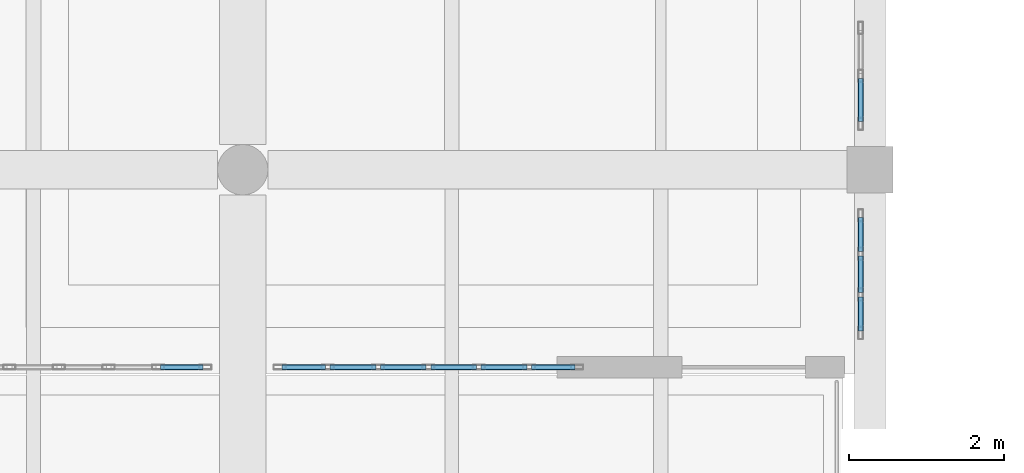
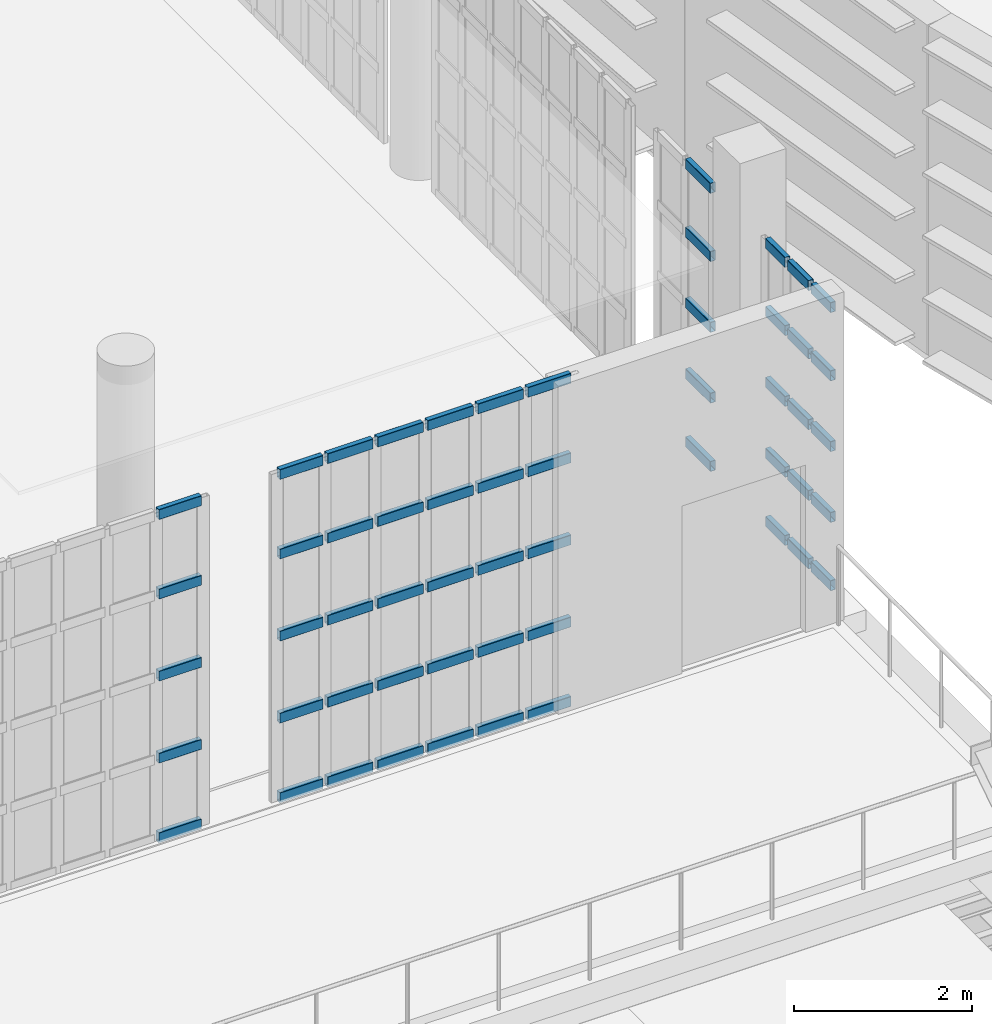
# One storey, part 57 of 104: 55 members, 4 elements without a shape of their own.
"""IFC4 building model written with IfcOpenShell, lengths in metres."""

import ifcopenshell
import ifcopenshell.guid

model = None  # the IFC model being written
_history = None  # IfcOwnerHistory: only IFC2X3 demands one
_inside = {}  # id of a spatial element -> (the spatial element, [elements in it])
_under = {}  # id of a project, library or spatial element -> (it, [spatial elements below it])
_declared = {}  # id of a project -> (the project, [libraries it declares])
_typed = {}  # id of a type object -> (the type object, [elements of that type])
_made_of = {}  # id of a material, layer set ... -> (it, [elements and type objects made of it])


def new_model(schema):
    """Start an empty IFC model of exactly this schema.

    Asked for "IFC4X3", IfcOpenShell would pick the latest addendum, in which some entities
    have other attributes; the version numbers below select the first issue.
    IFC2X3 requires an IfcOwnerHistory on every rooted entity: one is made here for all.
    """
    global model, _history
    if schema == "IFC4X3":
        model = ifcopenshell.file(schema_version=(4, 3, 0, 0))
    else:
        model = ifcopenshell.file(schema=schema)
    _inside.clear()
    _under.clear()
    _declared.clear()
    _typed.clear()
    _made_of.clear()
    _history = None
    if model.schema == "IFC2X3":
        org = make("IfcOrganization", Name="unknown")
        user = make(
            "IfcPersonAndOrganization",
            ThePerson=make("IfcPerson", FamilyName="unknown"),
            TheOrganization=org,
        )
        app = make(
            "IfcApplication",
            ApplicationDeveloper=org,
            Version="unknown",
            ApplicationFullName="unknown",
            ApplicationIdentifier="unknown",
        )
        _history = make(
            "IfcOwnerHistory",
            OwningUser=user,
            OwningApplication=app,
            ChangeAction="ADDED",
            CreationDate=0,
        )
    return model


def make(cls, **values):
    """One entity of the class cls with the attributes given. An attribute that is None is left unset."""
    return model.create_entity(
        cls, **{name: value for name, value in values.items() if value is not None}
    )


def rooted(cls, **values):
    """An entity with a GlobalId (a new one), such as an element, a storey or a relation."""
    return make(cls, GlobalId=ifcopenshell.guid.new(), OwnerHistory=_history, **values)


def si_unit(unit_type, name, prefix=None):
    """IfcSIUnit, for example si_unit("LENGTHUNIT", "METRE", prefix="MILLI")."""
    return make("IfcSIUnit", UnitType=unit_type, Prefix=prefix, Name=name)


def assignment(units):
    """IfcUnitAssignment: the units of a project."""
    return None if units is None else make("IfcUnitAssignment", Units=units)


def point(xyz):
    """IfcCartesianPoint."""
    return None if xyz is None else make("IfcCartesianPoint", Coordinates=xyz)


def direction(xyz):
    """IfcDirection."""
    return None if xyz is None else make("IfcDirection", DirectionRatios=xyz)


def frame(location, z_axis=None, x_axis=None):
    """IfcAxis2Placement3D, a coordinate frame: its origin and axes. An axis left out is left unset."""
    return make(
        "IfcAxis2Placement3D",
        Location=point(location),
        Axis=direction(z_axis),
        RefDirection=direction(x_axis),
    )


def frame_2d(location, x_axis=None):
    """IfcAxis2Placement2D, a coordinate frame in the plane: its origin and x axis."""
    return make(
        "IfcAxis2Placement2D", Location=point(location), RefDirection=direction(x_axis)
    )


def origin():
    """The frame at (0, 0, 0) with its axes left unset."""
    return frame((0.0, 0.0, 0.0))


def origin_2d():
    """The frame at (0, 0) in the plane with its x axis left unset."""
    return frame_2d((0.0, 0.0))


def place(relative_to, where):
    """IfcLocalPlacement: puts the frame where relative to a parent placement (None: the world)."""
    return make(
        "IfcLocalPlacement", PlacementRelTo=relative_to, RelativePlacement=where
    )


def context(
    kind, dimensions, precision=None, world=None, true_north=None, identifier=None
):
    """IfcGeometricRepresentationContext, for example the 3D "Model" context."""
    return make(
        "IfcGeometricRepresentationContext",
        ContextIdentifier=identifier,
        ContextType=kind,
        CoordinateSpaceDimension=dimensions,
        Precision=precision,
        WorldCoordinateSystem=world,
        TrueNorth=true_north,
    )


def subcontext(parent, identifier, kind, view, scale=None):
    """IfcGeometricRepresentationSubContext, for example "Body" below "Model"."""
    return make(
        "IfcGeometricRepresentationSubContext",
        ContextIdentifier=identifier,
        ContextType=kind,
        ParentContext=parent,
        TargetScale=scale,
        TargetView=view,
    )


def project(units=None, contexts=None):
    """IfcProject with its units and contexts."""
    return rooted(
        "IfcProject",
        Name="project",
        RepresentationContexts=contexts,
        UnitsInContext=assignment(units),
    )


def spatial(cls, under=None, at=None, **own):
    """A site, building, storey or space (cls), placed at a placement, below another one or the project."""
    s = rooted(cls, ObjectPlacement=at, **own)
    if under is not None:
        _under.setdefault(under.id(), (under, []))[1].append(s)
    return s


def profile(cls, at=None, kind="AREA", **sizes):
    """A parametric profile (cls). Its sizes go by their IFC names, for example OverallWidth=200.0."""
    return make(cls, ProfileType=kind, Position=at, **sizes)


def hollow_rectangle(**sizes):
    """IfcRectangleHollowProfileDef."""
    return profile("IfcRectangleHollowProfileDef", **sizes)


def extrude(swept, where, along, depth):
    """IfcExtrudedAreaSolid: the profile swept, set in the frame where, extruded along a direction by depth."""
    return make(
        "IfcExtrudedAreaSolid",
        SweptArea=swept,
        Position=where,
        ExtrudedDirection=direction(along),
        Depth=depth,
    )


def shape(context_of_items, identifier, shape_type, items):
    """IfcShapeRepresentation: the items that make up one representation, for example the "Body"."""
    return make(
        "IfcShapeRepresentation",
        ContextOfItems=context_of_items,
        RepresentationIdentifier=identifier,
        RepresentationType=shape_type,
        Items=items,
    )


def material(Name=None, Category=None):
    """IfcMaterial."""
    return make("IfcMaterial", Name=Name, Category=Category)


def material_profile(
    of_material, cross_section, Name=None, Category=None, Priority=None
):
    """IfcMaterialProfile: a cross section and its material."""
    return make(
        "IfcMaterialProfile",
        Name=Name,
        Material=of_material,
        Profile=cross_section,
        Priority=Priority,
        Category=Category,
    )


def profile_set(profiles, Name=None, composite=None):
    """IfcMaterialProfileSet."""
    return make(
        "IfcMaterialProfileSet",
        Name=Name,
        MaterialProfiles=profiles,
        CompositeProfile=composite,
    )


def made_of(thing, what):
    """Note that an element or type object is made of a material, layer set ...; save() writes the relation."""
    if what is not None:
        _made_of.setdefault(what.id(), (what, []))[1].append(thing)
    return thing


def type_object(cls, material=None, **own):
    """A type object (cls), such as IfcWallType, which elements share."""
    return made_of(rooted(cls, **own), material)


def element(
    cls,
    number,
    at=None,
    inside=None,
    cuts=None,
    type_object=None,
    material=None,
    context=None,
    identifier="Body",
    shape_type=None,
    held_by="IfcProductDefinitionShape",
    body=None,
    shapes=None,
    **own,
):
    """One element of the class cls, such as IfcWall. Its Tag is "e" and its number.

    at: its placement. inside: the storey or other place that contains it. cuts: it is an
    opening in that element (IfcRelVoidsElement). A single representation is given by context,
    identifier, shape_type and body (its items); several are given by shapes. held_by: the class
    of the entity that holds the representations. save() writes the other relations.
    """
    e = rooted(cls, Tag="e%d" % number, ObjectPlacement=at, **own)
    if body is not None:
        shapes = [shape(context, identifier, shape_type, body)]
    if shapes is not None:
        e.Representation = make(held_by, Representations=shapes)
    if inside is not None:
        _inside.setdefault(inside.id(), (inside, []))[1].append(e)
    if cuts is not None:
        rooted(
            "IfcRelVoidsElement", RelatingBuildingElement=cuts, RelatedOpeningElement=e
        )
    if type_object is not None:
        _typed.setdefault(type_object.id(), (type_object, []))[1].append(e)
    return made_of(e, material)


def aggregate(whole, parts):
    """IfcRelAggregates: a whole, such as a stair, and the parts it consists of."""
    return rooted("IfcRelAggregates", RelatingObject=whole, RelatedObjects=parts)


def save(model, path):
    """Write the relations noted so far, then the file.

    IfcRelAggregates (storeys below a building ...), IfcRelContainedInSpatialStructure (elements
    in a storey), IfcRelDefinesByType, IfcRelAssociatesMaterial and IfcRelDeclares: one each for
    every whole, place, type object, material and project.
    """
    for whole, parts in _under.values():
        aggregate(whole, parts)
    for where, things in _inside.values():
        rooted(
            "IfcRelContainedInSpatialStructure",
            RelatedElements=things,
            RelatingStructure=where,
        )
    for kind, things in _typed.values():
        rooted("IfcRelDefinesByType", RelatedObjects=things, RelatingType=kind)
    for what, things in _made_of.values():
        rooted("IfcRelAssociatesMaterial", RelatedObjects=things, RelatingMaterial=what)
    for by, libraries in _declared.values():
        rooted("IfcRelDeclares", RelatingContext=by, RelatedDefinitions=libraries)
    model.write(path)


model = new_model("IFC4")

# Units and contexts
model_context = context("Model", 3, precision=1e-05, world=origin(), true_north=direction((0.0, 1.0)))
body_context = subcontext(model_context, "Body", "Model", "MODEL_VIEW")
ifc_project = project(units=[si_unit("LENGTHUNIT", "METRE"), si_unit("AREAUNIT", "SQUARE_METRE"), si_unit("VOLUMEUNIT", "CUBIC_METRE"), si_unit("PLANEANGLEUNIT", "RADIAN"), si_unit("MASSUNIT", "GRAM", prefix="KILO")], contexts=[model_context])

# Site, building, storey
site_placement = place(None, origin())
site = spatial("IfcSite", under=ifc_project, at=site_placement, CompositionType="ELEMENT")
building_placement = place(site_placement, origin())
building = spatial("IfcBuilding", under=site, at=building_placement, Name="Kaelora Sail Theatre", CompositionType="ELEMENT")
storey_placement = place(building_placement, frame((0.0, 0.0, 5.39990234375)))
storey = spatial("IfcBuildingStorey", under=building, at=storey_placement, Name="L01", CompositionType="ELEMENT", Elevation=5.39990234375)

# Curtain wall, members
ifc_material_1 = material(Name="Anodised aluminium and solar-control low-E IGU", Category="aluminium")
curtain_wall_type = type_object("IfcCurtainWallType", Name="ARC-CW-CW-FOY2", PredefinedType="NOTDEFINED", material=ifc_material_1)
curtain_wall_1_placement = place(storey_placement, origin())
curtain_wall_1 = element("IfcCurtainWall", 1, at=curtain_wall_1_placement, inside=storey, type_object=curtain_wall_type, Name="West Interstitial Sail Foyer Curtain Wall L01-02", PredefinedType="NOTDEFINED")
ifc_material_2 = material(Name="Anodised aluminium 6063-T6", Category="aluminium")
ifc_material_profile = material_profile(ifc_material_2, hollow_rectangle(XDim=0.070068359375, YDim=0.139892578125, WallThickness=0.00390625, InnerFilletRadius=0.00390625, OuterFilletRadius=0.008056640625, at=origin_2d()), Name="ALU-TRAN 70x140x4")
ifc_profile_set = profile_set([ifc_material_profile], Name="Anodised aluminium 6063-T6")
member_type = type_object("IfcMemberType", Name="ARC-MEM-TR-140", PredefinedType="USERDEFINED", material=ifc_profile_set)
member_1_placement = place(storey_placement, frame((65.239990234375, 43.590087890625, 0.03515625), z_axis=(1.0, 0.0, 0.0), x_axis=(0.0, 1.0, 0.0)))
member_1 = element("IfcMember", 2, at=member_1_placement, type_object=member_type, Name="CW-FOY2 transom 5.1", ObjectType="TRANSOM", PredefinedType="USERDEFINED", context=body_context, shape_type="SweptSolid", body=[
    extrude(hollow_rectangle(XDim=0.070068359375, YDim=0.139892578125, WallThickness=0.00390625, InnerFilletRadius=0.00390625, OuterFilletRadius=0.008056640625, at=origin_2d()), origin(), (0.0, 0.0, 1.0), 0.550048828125),
])
member_2_placement = place(storey_placement, frame((65.239990234375, 43.590087890625, 1.12646484375), z_axis=(1.0, 0.0, 0.0), x_axis=(0.0, 1.0, 0.0)))
member_2 = element("IfcMember", 3, at=member_2_placement, type_object=member_type, Name="CW-FOY2 transom 5.2", ObjectType="TRANSOM", PredefinedType="USERDEFINED", context=body_context, shape_type="SweptSolid", body=[
    extrude(hollow_rectangle(XDim=0.070068359375, YDim=0.139892578125, WallThickness=0.00390625, InnerFilletRadius=0.00390625, OuterFilletRadius=0.008056640625, at=origin_2d()), origin(), (0.0, 0.0, 1.0), 0.550048828125),
])
member_3_placement = place(storey_placement, frame((65.239990234375, 43.590087890625, 2.252685546875), z_axis=(1.0, 0.0, 0.0), x_axis=(0.0, 1.0, 0.0)))
member_3 = element("IfcMember", 4, at=member_3_placement, type_object=member_type, Name="CW-FOY2 transom 5.3", ObjectType="TRANSOM", PredefinedType="USERDEFINED", context=body_context, shape_type="SweptSolid", body=[
    extrude(hollow_rectangle(XDim=0.070068359375, YDim=0.139892578125, WallThickness=0.00390625, InnerFilletRadius=0.00390625, OuterFilletRadius=0.008056640625, at=origin_2d()), origin(), (0.0, 0.0, 1.0), 0.550048828125),
])
member_4_placement = place(storey_placement, frame((65.239990234375, 43.590087890625, 3.37890625), z_axis=(1.0, 0.0, 0.0), x_axis=(0.0, 1.0, 0.0)))
member_4 = element("IfcMember", 5, at=member_4_placement, type_object=member_type, Name="CW-FOY2 transom 5.4", ObjectType="TRANSOM", PredefinedType="USERDEFINED", context=body_context, shape_type="SweptSolid", body=[
    extrude(hollow_rectangle(XDim=0.070068359375, YDim=0.139892578125, WallThickness=0.00390625, InnerFilletRadius=0.00390625, OuterFilletRadius=0.008056640625, at=origin_2d()), origin(), (0.0, 0.0, 1.0), 0.550048828125),
])
member_5_placement = place(storey_placement, frame((65.239990234375, 43.590087890625, 4.47021484375), z_axis=(1.0, 0.0, 0.0), x_axis=(0.0, 1.0, 0.0)))
member_5 = element("IfcMember", 6, at=member_5_placement, type_object=member_type, Name="CW-FOY2 transom 5.5", ObjectType="TRANSOM", PredefinedType="USERDEFINED", context=body_context, shape_type="SweptSolid", body=[
    extrude(hollow_rectangle(XDim=0.070068359375, YDim=0.139892578125, WallThickness=0.00390625, InnerFilletRadius=0.00390625, OuterFilletRadius=0.008056640625, at=origin_2d()), origin(), (0.0, 0.0, 1.0), 0.550048828125),
])
aggregate(curtain_wall_1, [member_1, member_2, member_3, member_4, member_5])

curtain_wall_2_placement = place(storey_placement, origin())
curtain_wall_2 = element("IfcCurtainWall", 7, at=curtain_wall_2_placement, inside=storey, type_object=curtain_wall_type, Name="West Interstitial Sail Foyer Curtain Wall L01-03", PredefinedType="NOTDEFINED")
member_6_placement = place(storey_placement, frame((66.81005859375, 43.590087890625, 0.03515625), z_axis=(1.0, 0.0, 0.0), x_axis=(0.0, 1.0, 0.0)))
member_6 = element("IfcMember", 8, at=member_6_placement, type_object=member_type, Name="CW-FOY2 transom 1.1", ObjectType="TRANSOM", PredefinedType="USERDEFINED", context=body_context, shape_type="SweptSolid", body=[
    extrude(hollow_rectangle(XDim=0.070068359375, YDim=0.139892578125, WallThickness=0.00390625, InnerFilletRadius=0.00390625, OuterFilletRadius=0.008056640625, at=origin_2d()), origin(), (0.0, 0.0, 1.0), 0.56005859375),
])
member_7_placement = place(storey_placement, frame((66.81005859375, 43.590087890625, 1.12646484375), z_axis=(1.0, 0.0, 0.0), x_axis=(0.0, 1.0, 0.0)))
member_7 = element("IfcMember", 9, at=member_7_placement, type_object=member_type, Name="CW-FOY2 transom 1.2", ObjectType="TRANSOM", PredefinedType="USERDEFINED", context=body_context, shape_type="SweptSolid", body=[
    extrude(hollow_rectangle(XDim=0.070068359375, YDim=0.139892578125, WallThickness=0.00390625, InnerFilletRadius=0.00390625, OuterFilletRadius=0.008056640625, at=origin_2d()), origin(), (0.0, 0.0, 1.0), 0.56005859375),
])
member_8_placement = place(storey_placement, frame((66.81005859375, 43.590087890625, 2.252685546875), z_axis=(1.0, 0.0, 0.0), x_axis=(0.0, 1.0, 0.0)))
member_8 = element("IfcMember", 10, at=member_8_placement, type_object=member_type, Name="CW-FOY2 transom 1.3", ObjectType="TRANSOM", PredefinedType="USERDEFINED", context=body_context, shape_type="SweptSolid", body=[
    extrude(hollow_rectangle(XDim=0.070068359375, YDim=0.139892578125, WallThickness=0.00390625, InnerFilletRadius=0.00390625, OuterFilletRadius=0.008056640625, at=origin_2d()), origin(), (0.0, 0.0, 1.0), 0.56005859375),
])
member_9_placement = place(storey_placement, frame((66.81005859375, 43.590087890625, 3.37890625), z_axis=(1.0, 0.0, 0.0), x_axis=(0.0, 1.0, 0.0)))
member_9 = element("IfcMember", 11, at=member_9_placement, type_object=member_type, Name="CW-FOY2 transom 1.4", ObjectType="TRANSOM", PredefinedType="USERDEFINED", context=body_context, shape_type="SweptSolid", body=[
    extrude(hollow_rectangle(XDim=0.070068359375, YDim=0.139892578125, WallThickness=0.00390625, InnerFilletRadius=0.00390625, OuterFilletRadius=0.008056640625, at=origin_2d()), origin(), (0.0, 0.0, 1.0), 0.56005859375),
])
member_10_placement = place(storey_placement, frame((66.81005859375, 43.590087890625, 4.47021484375), z_axis=(1.0, 0.0, 0.0), x_axis=(0.0, 1.0, 0.0)))
member_10 = element("IfcMember", 12, at=member_10_placement, type_object=member_type, Name="CW-FOY2 transom 1.5", ObjectType="TRANSOM", PredefinedType="USERDEFINED", context=body_context, shape_type="SweptSolid", body=[
    extrude(hollow_rectangle(XDim=0.070068359375, YDim=0.139892578125, WallThickness=0.00390625, InnerFilletRadius=0.00390625, OuterFilletRadius=0.008056640625, at=origin_2d()), origin(), (0.0, 0.0, 1.0), 0.56005859375),
])
member_11_placement = place(storey_placement, frame((67.429931640625, 43.590087890625, 0.03515625), z_axis=(1.0, 0.0, 0.0), x_axis=(0.0, 1.0, 0.0)))
member_11 = element("IfcMember", 13, at=member_11_placement, type_object=member_type, Name="CW-FOY2 transom 2.1", ObjectType="TRANSOM", PredefinedType="USERDEFINED", context=body_context, shape_type="SweptSolid", body=[
    extrude(hollow_rectangle(XDim=0.070068359375, YDim=0.139892578125, WallThickness=0.00390625, InnerFilletRadius=0.00390625, OuterFilletRadius=0.008056640625, at=origin_2d()), origin(), (0.0, 0.0, 1.0), 0.590087890625),
])
member_12_placement = place(storey_placement, frame((67.429931640625, 43.590087890625, 1.12646484375), z_axis=(1.0, 0.0, 0.0), x_axis=(0.0, 1.0, 0.0)))
member_12 = element("IfcMember", 14, at=member_12_placement, type_object=member_type, Name="CW-FOY2 transom 2.2", ObjectType="TRANSOM", PredefinedType="USERDEFINED", context=body_context, shape_type="SweptSolid", body=[
    extrude(hollow_rectangle(XDim=0.070068359375, YDim=0.139892578125, WallThickness=0.00390625, InnerFilletRadius=0.00390625, OuterFilletRadius=0.008056640625, at=origin_2d()), origin(), (0.0, 0.0, 1.0), 0.590087890625),
])
member_13_placement = place(storey_placement, frame((67.429931640625, 43.590087890625, 2.252685546875), z_axis=(1.0, 0.0, 0.0), x_axis=(0.0, 1.0, 0.0)))
member_13 = element("IfcMember", 15, at=member_13_placement, type_object=member_type, Name="CW-FOY2 transom 2.3", ObjectType="TRANSOM", PredefinedType="USERDEFINED", context=body_context, shape_type="SweptSolid", body=[
    extrude(hollow_rectangle(XDim=0.070068359375, YDim=0.139892578125, WallThickness=0.00390625, InnerFilletRadius=0.00390625, OuterFilletRadius=0.008056640625, at=origin_2d()), origin(), (0.0, 0.0, 1.0), 0.590087890625),
])
member_14_placement = place(storey_placement, frame((67.429931640625, 43.590087890625, 3.37890625), z_axis=(1.0, 0.0, 0.0), x_axis=(0.0, 1.0, 0.0)))
member_14 = element("IfcMember", 16, at=member_14_placement, type_object=member_type, Name="CW-FOY2 transom 2.4", ObjectType="TRANSOM", PredefinedType="USERDEFINED", context=body_context, shape_type="SweptSolid", body=[
    extrude(hollow_rectangle(XDim=0.070068359375, YDim=0.139892578125, WallThickness=0.00390625, InnerFilletRadius=0.00390625, OuterFilletRadius=0.008056640625, at=origin_2d()), origin(), (0.0, 0.0, 1.0), 0.590087890625),
])
member_15_placement = place(storey_placement, frame((67.429931640625, 43.590087890625, 4.47021484375), z_axis=(1.0, 0.0, 0.0), x_axis=(0.0, 1.0, 0.0)))
member_15 = element("IfcMember", 17, at=member_15_placement, type_object=member_type, Name="CW-FOY2 transom 2.5", ObjectType="TRANSOM", PredefinedType="USERDEFINED", context=body_context, shape_type="SweptSolid", body=[
    extrude(hollow_rectangle(XDim=0.070068359375, YDim=0.139892578125, WallThickness=0.00390625, InnerFilletRadius=0.00390625, OuterFilletRadius=0.008056640625, at=origin_2d()), origin(), (0.0, 0.0, 1.0), 0.590087890625),
])
member_16_placement = place(storey_placement, frame((68.080078125, 43.590087890625, 0.03515625), z_axis=(1.0, 0.0, 0.0), x_axis=(0.0, 1.0, 0.0)))
member_16 = element("IfcMember", 18, at=member_16_placement, type_object=member_type, Name="CW-FOY2 transom 3.1", ObjectType="TRANSOM", PredefinedType="USERDEFINED", context=body_context, shape_type="SweptSolid", body=[
    extrude(hollow_rectangle(XDim=0.070068359375, YDim=0.139892578125, WallThickness=0.00390625, InnerFilletRadius=0.00390625, OuterFilletRadius=0.008056640625, at=origin_2d()), origin(), (0.0, 0.0, 1.0), 0.58984375),
])
member_17_placement = place(storey_placement, frame((68.080078125, 43.590087890625, 1.12646484375), z_axis=(1.0, 0.0, 0.0), x_axis=(0.0, 1.0, 0.0)))
member_17 = element("IfcMember", 19, at=member_17_placement, type_object=member_type, Name="CW-FOY2 transom 3.2", ObjectType="TRANSOM", PredefinedType="USERDEFINED", context=body_context, shape_type="SweptSolid", body=[
    extrude(hollow_rectangle(XDim=0.070068359375, YDim=0.139892578125, WallThickness=0.00390625, InnerFilletRadius=0.00390625, OuterFilletRadius=0.008056640625, at=origin_2d()), origin(), (0.0, 0.0, 1.0), 0.58984375),
])
member_18_placement = place(storey_placement, frame((68.080078125, 43.590087890625, 2.252685546875), z_axis=(1.0, 0.0, 0.0), x_axis=(0.0, 1.0, 0.0)))
member_18 = element("IfcMember", 20, at=member_18_placement, type_object=member_type, Name="CW-FOY2 transom 3.3", ObjectType="TRANSOM", PredefinedType="USERDEFINED", context=body_context, shape_type="SweptSolid", body=[
    extrude(hollow_rectangle(XDim=0.070068359375, YDim=0.139892578125, WallThickness=0.00390625, InnerFilletRadius=0.00390625, OuterFilletRadius=0.008056640625, at=origin_2d()), origin(), (0.0, 0.0, 1.0), 0.58984375),
])
member_19_placement = place(storey_placement, frame((68.080078125, 43.590087890625, 3.37890625), z_axis=(1.0, 0.0, 0.0), x_axis=(0.0, 1.0, 0.0)))
member_19 = element("IfcMember", 21, at=member_19_placement, type_object=member_type, Name="CW-FOY2 transom 3.4", ObjectType="TRANSOM", PredefinedType="USERDEFINED", context=body_context, shape_type="SweptSolid", body=[
    extrude(hollow_rectangle(XDim=0.070068359375, YDim=0.139892578125, WallThickness=0.00390625, InnerFilletRadius=0.00390625, OuterFilletRadius=0.008056640625, at=origin_2d()), origin(), (0.0, 0.0, 1.0), 0.58984375),
])
member_20_placement = place(storey_placement, frame((68.080078125, 43.590087890625, 4.47021484375), z_axis=(1.0, 0.0, 0.0), x_axis=(0.0, 1.0, 0.0)))
member_20 = element("IfcMember", 22, at=member_20_placement, type_object=member_type, Name="CW-FOY2 transom 3.5", ObjectType="TRANSOM", PredefinedType="USERDEFINED", context=body_context, shape_type="SweptSolid", body=[
    extrude(hollow_rectangle(XDim=0.070068359375, YDim=0.139892578125, WallThickness=0.00390625, InnerFilletRadius=0.00390625, OuterFilletRadius=0.008056640625, at=origin_2d()), origin(), (0.0, 0.0, 1.0), 0.58984375),
])
member_21_placement = place(storey_placement, frame((68.72998046875, 43.590087890625, 0.03515625), z_axis=(1.0, 0.0, 0.0), x_axis=(0.0, 1.0, 0.0)))
member_21 = element("IfcMember", 23, at=member_21_placement, type_object=member_type, Name="CW-FOY2 transom 4.1", ObjectType="TRANSOM", PredefinedType="USERDEFINED", context=body_context, shape_type="SweptSolid", body=[
    extrude(hollow_rectangle(XDim=0.070068359375, YDim=0.139892578125, WallThickness=0.00390625, InnerFilletRadius=0.00390625, OuterFilletRadius=0.008056640625, at=origin_2d()), origin(), (0.0, 0.0, 1.0), 0.590087890625),
])
member_22_placement = place(storey_placement, frame((68.72998046875, 43.590087890625, 1.12646484375), z_axis=(1.0, 0.0, 0.0), x_axis=(0.0, 1.0, 0.0)))
member_22 = element("IfcMember", 24, at=member_22_placement, type_object=member_type, Name="CW-FOY2 transom 4.2", ObjectType="TRANSOM", PredefinedType="USERDEFINED", context=body_context, shape_type="SweptSolid", body=[
    extrude(hollow_rectangle(XDim=0.070068359375, YDim=0.139892578125, WallThickness=0.00390625, InnerFilletRadius=0.00390625, OuterFilletRadius=0.008056640625, at=origin_2d()), origin(), (0.0, 0.0, 1.0), 0.590087890625),
])
member_23_placement = place(storey_placement, frame((68.72998046875, 43.590087890625, 2.252685546875), z_axis=(1.0, 0.0, 0.0), x_axis=(0.0, 1.0, 0.0)))
member_23 = element("IfcMember", 25, at=member_23_placement, type_object=member_type, Name="CW-FOY2 transom 4.3", ObjectType="TRANSOM", PredefinedType="USERDEFINED", context=body_context, shape_type="SweptSolid", body=[
    extrude(hollow_rectangle(XDim=0.070068359375, YDim=0.139892578125, WallThickness=0.00390625, InnerFilletRadius=0.00390625, OuterFilletRadius=0.008056640625, at=origin_2d()), origin(), (0.0, 0.0, 1.0), 0.590087890625),
])
member_24_placement = place(storey_placement, frame((68.72998046875, 43.590087890625, 3.37890625), z_axis=(1.0, 0.0, 0.0), x_axis=(0.0, 1.0, 0.0)))
member_24 = element("IfcMember", 26, at=member_24_placement, type_object=member_type, Name="CW-FOY2 transom 4.4", ObjectType="TRANSOM", PredefinedType="USERDEFINED", context=body_context, shape_type="SweptSolid", body=[
    extrude(hollow_rectangle(XDim=0.070068359375, YDim=0.139892578125, WallThickness=0.00390625, InnerFilletRadius=0.00390625, OuterFilletRadius=0.008056640625, at=origin_2d()), origin(), (0.0, 0.0, 1.0), 0.590087890625),
])
member_25_placement = place(storey_placement, frame((68.72998046875, 43.590087890625, 4.47021484375), z_axis=(1.0, 0.0, 0.0), x_axis=(0.0, 1.0, 0.0)))
member_25 = element("IfcMember", 27, at=member_25_placement, type_object=member_type, Name="CW-FOY2 transom 4.5", ObjectType="TRANSOM", PredefinedType="USERDEFINED", context=body_context, shape_type="SweptSolid", body=[
    extrude(hollow_rectangle(XDim=0.070068359375, YDim=0.139892578125, WallThickness=0.00390625, InnerFilletRadius=0.00390625, OuterFilletRadius=0.008056640625, at=origin_2d()), origin(), (0.0, 0.0, 1.0), 0.590087890625),
])
member_26_placement = place(storey_placement, frame((69.3798828125, 43.590087890625, 0.03515625), z_axis=(1.0, 0.0, 0.0), x_axis=(0.0, 1.0, 0.0)))
member_26 = element("IfcMember", 28, at=member_26_placement, type_object=member_type, Name="CW-FOY2 transom 5.1", ObjectType="TRANSOM", PredefinedType="USERDEFINED", context=body_context, shape_type="SweptSolid", body=[
    extrude(hollow_rectangle(XDim=0.070068359375, YDim=0.139892578125, WallThickness=0.00390625, InnerFilletRadius=0.00390625, OuterFilletRadius=0.008056640625, at=origin_2d()), origin(), (0.0, 0.0, 1.0), 0.590087890625),
])
member_27_placement = place(storey_placement, frame((69.3798828125, 43.590087890625, 1.12646484375), z_axis=(1.0, 0.0, 0.0), x_axis=(0.0, 1.0, 0.0)))
member_27 = element("IfcMember", 29, at=member_27_placement, type_object=member_type, Name="CW-FOY2 transom 5.2", ObjectType="TRANSOM", PredefinedType="USERDEFINED", context=body_context, shape_type="SweptSolid", body=[
    extrude(hollow_rectangle(XDim=0.070068359375, YDim=0.139892578125, WallThickness=0.00390625, InnerFilletRadius=0.00390625, OuterFilletRadius=0.008056640625, at=origin_2d()), origin(), (0.0, 0.0, 1.0), 0.590087890625),
])
member_28_placement = place(storey_placement, frame((69.3798828125, 43.590087890625, 2.252685546875), z_axis=(1.0, 0.0, 0.0), x_axis=(0.0, 1.0, 0.0)))
member_28 = element("IfcMember", 30, at=member_28_placement, type_object=member_type, Name="CW-FOY2 transom 5.3", ObjectType="TRANSOM", PredefinedType="USERDEFINED", context=body_context, shape_type="SweptSolid", body=[
    extrude(hollow_rectangle(XDim=0.070068359375, YDim=0.139892578125, WallThickness=0.00390625, InnerFilletRadius=0.00390625, OuterFilletRadius=0.008056640625, at=origin_2d()), origin(), (0.0, 0.0, 1.0), 0.590087890625),
])
member_29_placement = place(storey_placement, frame((69.3798828125, 43.590087890625, 3.37890625), z_axis=(1.0, 0.0, 0.0), x_axis=(0.0, 1.0, 0.0)))
member_29 = element("IfcMember", 31, at=member_29_placement, type_object=member_type, Name="CW-FOY2 transom 5.4", ObjectType="TRANSOM", PredefinedType="USERDEFINED", context=body_context, shape_type="SweptSolid", body=[
    extrude(hollow_rectangle(XDim=0.070068359375, YDim=0.139892578125, WallThickness=0.00390625, InnerFilletRadius=0.00390625, OuterFilletRadius=0.008056640625, at=origin_2d()), origin(), (0.0, 0.0, 1.0), 0.590087890625),
])
member_30_placement = place(storey_placement, frame((69.3798828125, 43.590087890625, 4.47021484375), z_axis=(1.0, 0.0, 0.0), x_axis=(0.0, 1.0, 0.0)))
member_30 = element("IfcMember", 32, at=member_30_placement, type_object=member_type, Name="CW-FOY2 transom 5.5", ObjectType="TRANSOM", PredefinedType="USERDEFINED", context=body_context, shape_type="SweptSolid", body=[
    extrude(hollow_rectangle(XDim=0.070068359375, YDim=0.139892578125, WallThickness=0.00390625, InnerFilletRadius=0.00390625, OuterFilletRadius=0.008056640625, at=origin_2d()), origin(), (0.0, 0.0, 1.0), 0.590087890625),
])
member_31_placement = place(storey_placement, frame((70.030029296875, 43.590087890625, 0.03515625), z_axis=(1.0, 0.0, 0.0), x_axis=(0.0, 1.0, 0.0)))
member_31 = element("IfcMember", 33, at=member_31_placement, type_object=member_type, Name="CW-FOY2 transom 6.1", ObjectType="TRANSOM", PredefinedType="USERDEFINED", context=body_context, shape_type="SweptSolid", body=[
    extrude(hollow_rectangle(XDim=0.070068359375, YDim=0.139892578125, WallThickness=0.00390625, InnerFilletRadius=0.00390625, OuterFilletRadius=0.008056640625, at=origin_2d()), origin(), (0.0, 0.0, 1.0), 0.56005859375),
])
member_32_placement = place(storey_placement, frame((70.030029296875, 43.590087890625, 1.12646484375), z_axis=(1.0, 0.0, 0.0), x_axis=(0.0, 1.0, 0.0)))
member_32 = element("IfcMember", 34, at=member_32_placement, type_object=member_type, Name="CW-FOY2 transom 6.2", ObjectType="TRANSOM", PredefinedType="USERDEFINED", context=body_context, shape_type="SweptSolid", body=[
    extrude(hollow_rectangle(XDim=0.070068359375, YDim=0.139892578125, WallThickness=0.00390625, InnerFilletRadius=0.00390625, OuterFilletRadius=0.008056640625, at=origin_2d()), origin(), (0.0, 0.0, 1.0), 0.56005859375),
])
member_33_placement = place(storey_placement, frame((70.030029296875, 43.590087890625, 2.252685546875), z_axis=(1.0, 0.0, 0.0), x_axis=(0.0, 1.0, 0.0)))
member_33 = element("IfcMember", 35, at=member_33_placement, type_object=member_type, Name="CW-FOY2 transom 6.3", ObjectType="TRANSOM", PredefinedType="USERDEFINED", context=body_context, shape_type="SweptSolid", body=[
    extrude(hollow_rectangle(XDim=0.070068359375, YDim=0.139892578125, WallThickness=0.00390625, InnerFilletRadius=0.00390625, OuterFilletRadius=0.008056640625, at=origin_2d()), origin(), (0.0, 0.0, 1.0), 0.56005859375),
])
member_34_placement = place(storey_placement, frame((70.030029296875, 43.590087890625, 3.37890625), z_axis=(1.0, 0.0, 0.0), x_axis=(0.0, 1.0, 0.0)))
member_34 = element("IfcMember", 36, at=member_34_placement, type_object=member_type, Name="CW-FOY2 transom 6.4", ObjectType="TRANSOM", PredefinedType="USERDEFINED", context=body_context, shape_type="SweptSolid", body=[
    extrude(hollow_rectangle(XDim=0.070068359375, YDim=0.139892578125, WallThickness=0.00390625, InnerFilletRadius=0.00390625, OuterFilletRadius=0.008056640625, at=origin_2d()), origin(), (0.0, 0.0, 1.0), 0.56005859375),
])
member_35_placement = place(storey_placement, frame((70.030029296875, 43.590087890625, 4.47021484375), z_axis=(1.0, 0.0, 0.0), x_axis=(0.0, 1.0, 0.0)))
member_35 = element("IfcMember", 37, at=member_35_placement, type_object=member_type, Name="CW-FOY2 transom 6.5", ObjectType="TRANSOM", PredefinedType="USERDEFINED", context=body_context, shape_type="SweptSolid", body=[
    extrude(hollow_rectangle(XDim=0.070068359375, YDim=0.139892578125, WallThickness=0.00390625, InnerFilletRadius=0.00390625, OuterFilletRadius=0.008056640625, at=origin_2d()), origin(), (0.0, 0.0, 1.0), 0.56005859375),
])
aggregate(curtain_wall_2, [member_6, member_7, member_8, member_9, member_10, member_11, member_12, member_13, member_14, member_15, member_16, member_17, member_18, member_19, member_20, member_21, member_22, member_23, member_24, member_25, member_26, member_27, member_28, member_29, member_30, member_31, member_32, member_33, member_34, member_35])

curtain_wall_3_placement = place(storey_placement, origin())
curtain_wall_3 = element("IfcCurtainWall", 38, at=curtain_wall_3_placement, inside=storey, type_object=curtain_wall_type, Name="West Interstitial Foyer East Glazed Return L01-01", PredefinedType="NOTDEFINED")
member_36_placement = place(storey_placement, frame((74.280029296875, 44.06005859375, 0.03515625), z_axis=(0.0, 1.0, 0.0), x_axis=(-1.0, 0.0, 0.0)))
member_36 = element("IfcMember", 39, at=member_36_placement, type_object=member_type, Name="CW-FOY2 transom 1.1", ObjectType="TRANSOM", PredefinedType="USERDEFINED", context=body_context, shape_type="SweptSolid", body=[
    extrude(hollow_rectangle(XDim=0.070068359375, YDim=0.139892578125, WallThickness=0.00390625, InnerFilletRadius=0.00390625, OuterFilletRadius=0.008056640625, at=origin_2d()), origin(), (0.0, 0.0, 1.0), 0.4365234375),
])
member_37_placement = place(storey_placement, frame((74.280029296875, 44.06005859375, 0.971923828125), z_axis=(0.0, 1.0, 0.0), x_axis=(-1.0, 0.0, 0.0)))
member_37 = element("IfcMember", 40, at=member_37_placement, type_object=member_type, Name="CW-FOY2 transom 1.2", ObjectType="TRANSOM", PredefinedType="USERDEFINED", context=body_context, shape_type="SweptSolid", body=[
    extrude(hollow_rectangle(XDim=0.070068359375, YDim=0.139892578125, WallThickness=0.00390625, InnerFilletRadius=0.00390625, OuterFilletRadius=0.008056640625, at=origin_2d()), origin(), (0.0, 0.0, 1.0), 0.4365234375),
])
member_38_placement = place(storey_placement, frame((74.280029296875, 44.06005859375, 1.943603515625), z_axis=(0.0, 1.0, 0.0), x_axis=(-1.0, 0.0, 0.0)))
member_38 = element("IfcMember", 41, at=member_38_placement, type_object=member_type, Name="CW-FOY2 transom 1.3", ObjectType="TRANSOM", PredefinedType="USERDEFINED", context=body_context, shape_type="SweptSolid", body=[
    extrude(hollow_rectangle(XDim=0.070068359375, YDim=0.139892578125, WallThickness=0.00390625, InnerFilletRadius=0.00390625, OuterFilletRadius=0.008056640625, at=origin_2d()), origin(), (0.0, 0.0, 1.0), 0.4365234375),
])
member_39_placement = place(storey_placement, frame((74.280029296875, 44.06005859375, 2.915283203125), z_axis=(0.0, 1.0, 0.0), x_axis=(-1.0, 0.0, 0.0)))
member_39 = element("IfcMember", 42, at=member_39_placement, type_object=member_type, Name="CW-FOY2 transom 1.4", ObjectType="TRANSOM", PredefinedType="USERDEFINED", context=body_context, shape_type="SweptSolid", body=[
    extrude(hollow_rectangle(XDim=0.070068359375, YDim=0.139892578125, WallThickness=0.00390625, InnerFilletRadius=0.00390625, OuterFilletRadius=0.008056640625, at=origin_2d()), origin(), (0.0, 0.0, 1.0), 0.4365234375),
])
member_40_placement = place(storey_placement, frame((74.280029296875, 44.06005859375, 3.85205078125), z_axis=(0.0, 1.0, 0.0), x_axis=(-1.0, 0.0, 0.0)))
member_40 = element("IfcMember", 43, at=member_40_placement, type_object=member_type, Name="CW-FOY2 transom 1.5", ObjectType="TRANSOM", PredefinedType="USERDEFINED", context=body_context, shape_type="SweptSolid", body=[
    extrude(hollow_rectangle(XDim=0.070068359375, YDim=0.139892578125, WallThickness=0.00390625, InnerFilletRadius=0.00390625, OuterFilletRadius=0.008056640625, at=origin_2d()), origin(), (0.0, 0.0, 1.0), 0.4365234375),
])
member_41_placement = place(storey_placement, frame((74.280029296875, 44.556640625, 0.03515625), z_axis=(0.0, 1.0, 0.0), x_axis=(-1.0, 0.0, 0.0)))
member_41 = element("IfcMember", 44, at=member_41_placement, type_object=member_type, Name="CW-FOY2 transom 2.1", ObjectType="TRANSOM", PredefinedType="USERDEFINED", context=body_context, shape_type="SweptSolid", body=[
    extrude(hollow_rectangle(XDim=0.070068359375, YDim=0.139892578125, WallThickness=0.00390625, InnerFilletRadius=0.00390625, OuterFilletRadius=0.008056640625, at=origin_2d()), origin(), (0.0, 0.0, 1.0), 0.466796875),
])
member_42_placement = place(storey_placement, frame((74.280029296875, 44.556640625, 0.971923828125), z_axis=(0.0, 1.0, 0.0), x_axis=(-1.0, 0.0, 0.0)))
member_42 = element("IfcMember", 45, at=member_42_placement, type_object=member_type, Name="CW-FOY2 transom 2.2", ObjectType="TRANSOM", PredefinedType="USERDEFINED", context=body_context, shape_type="SweptSolid", body=[
    extrude(hollow_rectangle(XDim=0.070068359375, YDim=0.139892578125, WallThickness=0.00390625, InnerFilletRadius=0.00390625, OuterFilletRadius=0.008056640625, at=origin_2d()), origin(), (0.0, 0.0, 1.0), 0.466796875),
])
member_43_placement = place(storey_placement, frame((74.280029296875, 44.556640625, 1.943603515625), z_axis=(0.0, 1.0, 0.0), x_axis=(-1.0, 0.0, 0.0)))
member_43 = element("IfcMember", 46, at=member_43_placement, type_object=member_type, Name="CW-FOY2 transom 2.3", ObjectType="TRANSOM", PredefinedType="USERDEFINED", context=body_context, shape_type="SweptSolid", body=[
    extrude(hollow_rectangle(XDim=0.070068359375, YDim=0.139892578125, WallThickness=0.00390625, InnerFilletRadius=0.00390625, OuterFilletRadius=0.008056640625, at=origin_2d()), origin(), (0.0, 0.0, 1.0), 0.466796875),
])
member_44_placement = place(storey_placement, frame((74.280029296875, 44.556640625, 2.915283203125), z_axis=(0.0, 1.0, 0.0), x_axis=(-1.0, 0.0, 0.0)))
member_44 = element("IfcMember", 47, at=member_44_placement, type_object=member_type, Name="CW-FOY2 transom 2.4", ObjectType="TRANSOM", PredefinedType="USERDEFINED", context=body_context, shape_type="SweptSolid", body=[
    extrude(hollow_rectangle(XDim=0.070068359375, YDim=0.139892578125, WallThickness=0.00390625, InnerFilletRadius=0.00390625, OuterFilletRadius=0.008056640625, at=origin_2d()), origin(), (0.0, 0.0, 1.0), 0.466796875),
])
member_45_placement = place(storey_placement, frame((74.280029296875, 44.556640625, 3.85205078125), z_axis=(0.0, 1.0, 0.0), x_axis=(-1.0, 0.0, 0.0)))
member_45 = element("IfcMember", 48, at=member_45_placement, type_object=member_type, Name="CW-FOY2 transom 2.5", ObjectType="TRANSOM", PredefinedType="USERDEFINED", context=body_context, shape_type="SweptSolid", body=[
    extrude(hollow_rectangle(XDim=0.070068359375, YDim=0.139892578125, WallThickness=0.00390625, InnerFilletRadius=0.00390625, OuterFilletRadius=0.008056640625, at=origin_2d()), origin(), (0.0, 0.0, 1.0), 0.466796875),
])
member_46_placement = place(storey_placement, frame((74.280029296875, 45.083251953125, 0.03515625), z_axis=(0.0, 1.0, 0.0), x_axis=(-1.0, 0.0, 0.0)))
member_46 = element("IfcMember", 49, at=member_46_placement, type_object=member_type, Name="CW-FOY2 transom 3.1", ObjectType="TRANSOM", PredefinedType="USERDEFINED", context=body_context, shape_type="SweptSolid", body=[
    extrude(hollow_rectangle(XDim=0.070068359375, YDim=0.139892578125, WallThickness=0.00390625, InnerFilletRadius=0.00390625, OuterFilletRadius=0.008056640625, at=origin_2d()), origin(), (0.0, 0.0, 1.0), 0.436767578125),
])
member_47_placement = place(storey_placement, frame((74.280029296875, 45.083251953125, 0.971923828125), z_axis=(0.0, 1.0, 0.0), x_axis=(-1.0, 0.0, 0.0)))
member_47 = element("IfcMember", 50, at=member_47_placement, type_object=member_type, Name="CW-FOY2 transom 3.2", ObjectType="TRANSOM", PredefinedType="USERDEFINED", context=body_context, shape_type="SweptSolid", body=[
    extrude(hollow_rectangle(XDim=0.070068359375, YDim=0.139892578125, WallThickness=0.00390625, InnerFilletRadius=0.00390625, OuterFilletRadius=0.008056640625, at=origin_2d()), origin(), (0.0, 0.0, 1.0), 0.436767578125),
])
member_48_placement = place(storey_placement, frame((74.280029296875, 45.083251953125, 1.943603515625), z_axis=(0.0, 1.0, 0.0), x_axis=(-1.0, 0.0, 0.0)))
member_48 = element("IfcMember", 51, at=member_48_placement, type_object=member_type, Name="CW-FOY2 transom 3.3", ObjectType="TRANSOM", PredefinedType="USERDEFINED", context=body_context, shape_type="SweptSolid", body=[
    extrude(hollow_rectangle(XDim=0.070068359375, YDim=0.139892578125, WallThickness=0.00390625, InnerFilletRadius=0.00390625, OuterFilletRadius=0.008056640625, at=origin_2d()), origin(), (0.0, 0.0, 1.0), 0.436767578125),
])
member_49_placement = place(storey_placement, frame((74.280029296875, 45.083251953125, 2.915283203125), z_axis=(0.0, 1.0, 0.0), x_axis=(-1.0, 0.0, 0.0)))
member_49 = element("IfcMember", 52, at=member_49_placement, type_object=member_type, Name="CW-FOY2 transom 3.4", ObjectType="TRANSOM", PredefinedType="USERDEFINED", context=body_context, shape_type="SweptSolid", body=[
    extrude(hollow_rectangle(XDim=0.070068359375, YDim=0.139892578125, WallThickness=0.00390625, InnerFilletRadius=0.00390625, OuterFilletRadius=0.008056640625, at=origin_2d()), origin(), (0.0, 0.0, 1.0), 0.436767578125),
])
member_50_placement = place(storey_placement, frame((74.280029296875, 45.083251953125, 3.85205078125), z_axis=(0.0, 1.0, 0.0), x_axis=(-1.0, 0.0, 0.0)))
member_50 = element("IfcMember", 53, at=member_50_placement, type_object=member_type, Name="CW-FOY2 transom 3.5", ObjectType="TRANSOM", PredefinedType="USERDEFINED", context=body_context, shape_type="SweptSolid", body=[
    extrude(hollow_rectangle(XDim=0.070068359375, YDim=0.139892578125, WallThickness=0.00390625, InnerFilletRadius=0.00390625, OuterFilletRadius=0.008056640625, at=origin_2d()), origin(), (0.0, 0.0, 1.0), 0.436767578125),
])
aggregate(curtain_wall_3, [member_36, member_37, member_38, member_39, member_40, member_41, member_42, member_43, member_44, member_45, member_46, member_47, member_48, member_49, member_50])

curtain_wall_4_placement = place(storey_placement, origin())
curtain_wall_4 = element("IfcCurtainWall", 54, at=curtain_wall_4_placement, inside=storey, type_object=curtain_wall_type, Name="West Interstitial Foyer East Glazed Return L01-01", PredefinedType="NOTDEFINED")
member_51_placement = place(storey_placement, frame((74.280029296875, 46.760009765625, 0.03515625), z_axis=(0.0, 1.0, 0.0), x_axis=(-1.0, 0.0, 0.0)))
member_51 = element("IfcMember", 55, at=member_51_placement, type_object=member_type, Name="CW-FOY2 transom 1.1", ObjectType="TRANSOM", PredefinedType="USERDEFINED", context=body_context, shape_type="SweptSolid", body=[
    extrude(hollow_rectangle(XDim=0.070068359375, YDim=0.139892578125, WallThickness=0.00390625, InnerFilletRadius=0.00390625, OuterFilletRadius=0.008056640625, at=origin_2d()), origin(), (0.0, 0.0, 1.0), 0.56005859375),
])
member_52_placement = place(storey_placement, frame((74.280029296875, 46.760009765625, 0.971923828125), z_axis=(0.0, 1.0, 0.0), x_axis=(-1.0, 0.0, 0.0)))
member_52 = element("IfcMember", 56, at=member_52_placement, type_object=member_type, Name="CW-FOY2 transom 1.2", ObjectType="TRANSOM", PredefinedType="USERDEFINED", context=body_context, shape_type="SweptSolid", body=[
    extrude(hollow_rectangle(XDim=0.070068359375, YDim=0.139892578125, WallThickness=0.00390625, InnerFilletRadius=0.00390625, OuterFilletRadius=0.008056640625, at=origin_2d()), origin(), (0.0, 0.0, 1.0), 0.56005859375),
])
member_53_placement = place(storey_placement, frame((74.280029296875, 46.760009765625, 1.943603515625), z_axis=(0.0, 1.0, 0.0), x_axis=(-1.0, 0.0, 0.0)))
member_53 = element("IfcMember", 57, at=member_53_placement, type_object=member_type, Name="CW-FOY2 transom 1.3", ObjectType="TRANSOM", PredefinedType="USERDEFINED", context=body_context, shape_type="SweptSolid", body=[
    extrude(hollow_rectangle(XDim=0.070068359375, YDim=0.139892578125, WallThickness=0.00390625, InnerFilletRadius=0.00390625, OuterFilletRadius=0.008056640625, at=origin_2d()), origin(), (0.0, 0.0, 1.0), 0.56005859375),
])
member_54_placement = place(storey_placement, frame((74.280029296875, 46.760009765625, 2.915283203125), z_axis=(0.0, 1.0, 0.0), x_axis=(-1.0, 0.0, 0.0)))
member_54 = element("IfcMember", 58, at=member_54_placement, type_object=member_type, Name="CW-FOY2 transom 1.4", ObjectType="TRANSOM", PredefinedType="USERDEFINED", context=body_context, shape_type="SweptSolid", body=[
    extrude(hollow_rectangle(XDim=0.070068359375, YDim=0.139892578125, WallThickness=0.00390625, InnerFilletRadius=0.00390625, OuterFilletRadius=0.008056640625, at=origin_2d()), origin(), (0.0, 0.0, 1.0), 0.56005859375),
])
member_55_placement = place(storey_placement, frame((74.280029296875, 46.760009765625, 3.85205078125), z_axis=(0.0, 1.0, 0.0), x_axis=(-1.0, 0.0, 0.0)))
member_55 = element("IfcMember", 59, at=member_55_placement, type_object=member_type, Name="CW-FOY2 transom 1.5", ObjectType="TRANSOM", PredefinedType="USERDEFINED", context=body_context, shape_type="SweptSolid", body=[
    extrude(hollow_rectangle(XDim=0.070068359375, YDim=0.139892578125, WallThickness=0.00390625, InnerFilletRadius=0.00390625, OuterFilletRadius=0.008056640625, at=origin_2d()), origin(), (0.0, 0.0, 1.0), 0.56005859375),
])
aggregate(curtain_wall_4, [member_51, member_52, member_53, member_54, member_55])

save(model, "model.ifc")
